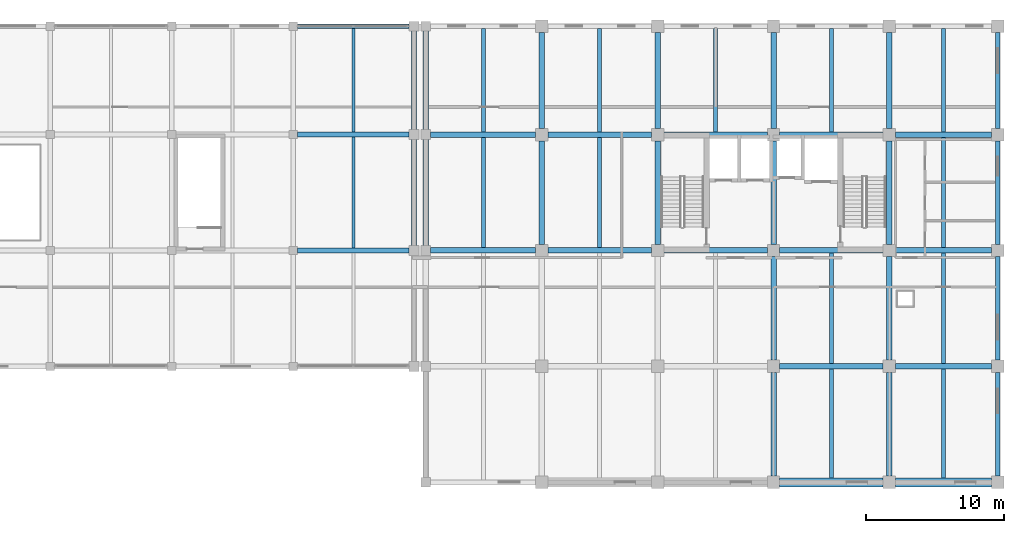
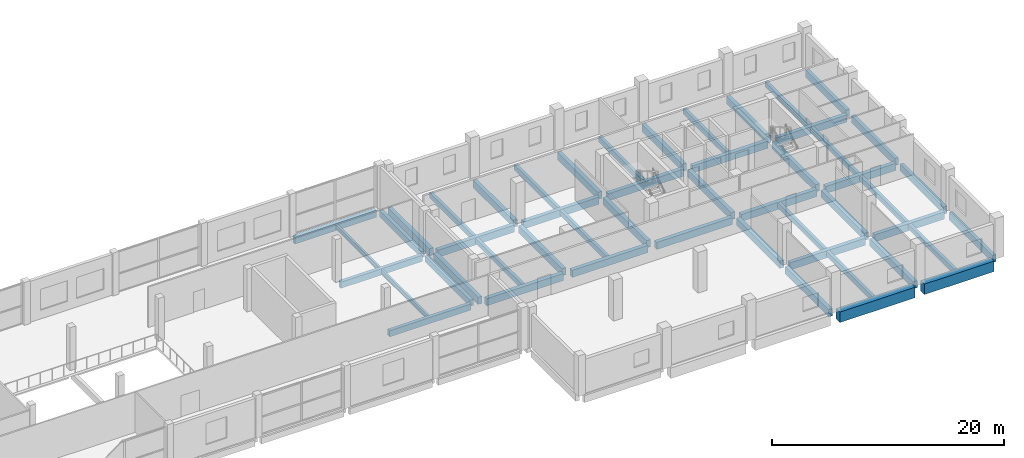
# One storey, part 10 of 18: 51 beams.
"""IFC4 building model written with IfcOpenShell, lengths in metres."""

from ifc_helpers import new_model, si_unit, direction, frame, origin, origin_2d, place, context, subcontext, project, spatial, rectangle, i_section, extrude, material, material_profile, profile_set, type_object, element, save


model = new_model("IFC4")

# Units and contexts
model_context = context("Model", 3, precision=1e-05, world=origin(), true_north=direction((0.0, 1.0)))
body_context = subcontext(model_context, "Body", "Model", "MODEL_VIEW")
ifc_project = project(units=[si_unit("LENGTHUNIT", "METRE"), si_unit("AREAUNIT", "SQUARE_METRE"), si_unit("VOLUMEUNIT", "CUBIC_METRE"), si_unit("PLANEANGLEUNIT", "RADIAN"), si_unit("MASSUNIT", "GRAM", prefix="KILO")], contexts=[model_context])

# Site, building, storey
site_placement = place(None, origin())
site = spatial("IfcSite", under=ifc_project, at=site_placement, CompositionType="ELEMENT")
building_placement = place(site_placement, origin())
building = spatial("IfcBuilding", under=site, at=building_placement, Name="Brinegate Botanical Conservatory", CompositionType="ELEMENT")
storey_placement = place(building_placement, frame((0.0, 0.0, 14.699951171875)))
storey = spatial("IfcBuildingStorey", under=building, at=storey_placement, Name="L04", CompositionType="ELEMENT", Elevation=14.699951171875)

# Beams
ifc_material_1 = material(Name="Concrete C50/60", Category="concrete")
ifc_material_profile_1 = material_profile(ifc_material_1, rectangle(XDim=0.39990234375, YDim=0.75, at=origin_2d()), Name="RC BM 400x750")
ifc_profile_set_1 = profile_set([ifc_material_profile_1], Name="Concrete C50/60")
beam_type_1 = type_object("IfcBeamType", Name="Beam_BM-T1", PredefinedType="BEAM", material=ifc_profile_set_1)
beam_1_placement = place(storey_placement, frame((147.64990234375, 86.800048828125, -0.614990234375), z_axis=(1.0, 0.0, 0.0), x_axis=(0.0, 1.0, 0.0)))
element("IfcBeam", 1, at=beam_1_placement, inside=storey, type_object=beam_type_1, Name="Beam BM-T1 L04 L:19-20", PredefinedType="BEAM", context=body_context, shape_type="SweptSolid", body=[
    extrude(rectangle(XDim=0.39990234375, YDim=0.75, at=origin_2d()), origin(), (0.0, 0.0, 1.0), 7.5),
])
beam_2_placement = place(storey_placement, frame((156.050048828125, 86.800048828125, -0.614990234375), z_axis=(1.0, 0.0, 0.0), x_axis=(0.0, 1.0, 0.0)))
element("IfcBeam", 2, at=beam_2_placement, inside=storey, type_object=beam_type_1, Name="Beam BM-T1 L04 L:20-21", PredefinedType="BEAM", context=body_context, shape_type="SweptSolid", body=[
    extrude(rectangle(XDim=0.39990234375, YDim=0.75, at=origin_2d()), origin(), (0.0, 0.0, 1.0), 6.949951171875),
])
beam_3_placement = place(storey_placement, frame((122.35009765625, 95.199951171875, -0.614990234375), z_axis=(1.0, 0.0, 0.0), x_axis=(0.0, 1.0, 0.0)))
element("IfcBeam", 3, at=beam_3_placement, inside=storey, type_object=beam_type_1, Name="Beam BM-T1 L04 M:16-17", PredefinedType="BEAM", context=body_context, shape_type="SweptSolid", body=[
    extrude(rectangle(XDim=0.39990234375, YDim=0.75, at=origin_2d()), origin(), (0.0, 0.0, 1.0), 7.599853515625),
])
for number, where, z_axis, x_axis, name in (
    (4, (130.85009765625, 95.199951171875, -0.614990234375), (1.0, 0.0, 0.0), (0.0, 1.0, 0.0), "Beam BM-T1 L04 M:17-18"),
    (5, (139.25, 95.199951171875, -0.614990234375), (1.0, 0.0, 0.0), (0.0, 1.0, 0.0), "Beam BM-T1 L04 M:18-19"),
    (6, (147.64990234375, 95.199951171875, -0.614990234375), (1.0, 0.0, 0.0), (0.0, 1.0, 0.0), "Beam BM-T1 L04 M:19-20"),
):
    element("IfcBeam", number, at=place(storey_placement, frame(where, z_axis=z_axis, x_axis=x_axis)), inside=storey, type_object=beam_type_1, Name=name, PredefinedType="BEAM", context=body_context, shape_type="SweptSolid", body=[
        extrude(rectangle(XDim=0.39990234375, YDim=0.75, at=origin_2d()), origin(), (0.0, 0.0, 1.0), 7.5),
    ])
beam_4_placement = place(storey_placement, frame((156.050048828125, 95.199951171875, -0.614990234375), z_axis=(1.0, 0.0, 0.0), x_axis=(0.0, 1.0, 0.0)))
element("IfcBeam", 7, at=beam_4_placement, inside=storey, type_object=beam_type_1, Name="Beam BM-T1 L04 M:20-21", PredefinedType="BEAM", context=body_context, shape_type="SweptSolid", body=[
    extrude(rectangle(XDim=0.39990234375, YDim=0.75, at=origin_2d()), origin(), (0.0, 0.0, 1.0), 6.949951171875),
])
beam_5_placement = place(storey_placement, frame((122.35009765625, 103.60009765625, -0.614990234375), z_axis=(1.0, 0.0, 0.0), x_axis=(0.0, 1.0, 0.0)))
element("IfcBeam", 8, at=beam_5_placement, inside=storey, type_object=beam_type_1, Name="Beam BM-T1 L04 N:16-17", PredefinedType="BEAM", context=body_context, shape_type="SweptSolid", body=[
    extrude(rectangle(XDim=0.39990234375, YDim=0.75, at=origin_2d()), origin(), (0.0, 0.0, 1.0), 7.599853515625),
])
for number, where, z_axis, x_axis, name in (
    (9, (130.85009765625, 103.60009765625, -0.614990234375), (1.0, 0.0, 0.0), (0.0, 1.0, 0.0), "Beam BM-T1 L04 N:17-18"),
    (10, (139.25, 103.60009765625, -0.614990234375), (1.0, 0.0, 0.0), (0.0, 1.0, 0.0), "Beam BM-T1 L04 N:18-19"),
    (11, (147.64990234375, 103.60009765625, -0.614990234375), (1.0, 0.0, 0.0), (0.0, 1.0, 0.0), "Beam BM-T1 L04 N:19-20"),
):
    element("IfcBeam", number, at=place(storey_placement, frame(where, z_axis=z_axis, x_axis=x_axis)), inside=storey, type_object=beam_type_1, Name=name, PredefinedType="BEAM", context=body_context, shape_type="SweptSolid", body=[
        extrude(rectangle(XDim=0.39990234375, YDim=0.75, at=origin_2d()), origin(), (0.0, 0.0, 1.0), 7.5),
    ])
beam_6_placement = place(storey_placement, frame((156.050048828125, 103.60009765625, -0.614990234375), z_axis=(1.0, 0.0, 0.0), x_axis=(0.0, 1.0, 0.0)))
element("IfcBeam", 12, at=beam_6_placement, inside=storey, type_object=beam_type_1, Name="Beam BM-T1 L04 N:20-21", PredefinedType="BEAM", context=body_context, shape_type="SweptSolid", body=[
    extrude(rectangle(XDim=0.39990234375, YDim=0.75, at=origin_2d()), origin(), (0.0, 0.0, 1.0), 6.949951171875),
])
beam_7_placement = place(storey_placement, frame((122.0, 95.550048828125, -0.614990234375), z_axis=(0.0, 1.0, 0.0), x_axis=(-1.0, 0.0, 0.0)))
element("IfcBeam", 13, at=beam_7_placement, inside=storey, type_object=beam_type_1, Name="Beam BM-T1 L04 16:M-N", PredefinedType="BEAM", context=body_context, shape_type="SweptSolid", body=[
    extrude(rectangle(XDim=0.39990234375, YDim=0.75, at=origin_2d()), origin(), (0.0, 0.0, 1.0), 7.699951171875),
])
beam_8_placement = place(storey_placement, frame((122.0, 103.949951171875, -0.614990234375), z_axis=(0.0, 1.0, 0.0), x_axis=(-1.0, 0.0, 0.0)))
element("IfcBeam", 14, at=beam_8_placement, inside=storey, type_object=beam_type_1, Name="Beam BM-T1 L04 16:N-P", PredefinedType="BEAM", context=body_context, shape_type="SweptSolid", body=[
    extrude(rectangle(XDim=0.39990234375, YDim=0.75, at=origin_2d()), origin(), (0.0, 0.0, 1.0), 7.150146484375),
])
beam_9_placement = place(storey_placement, frame((130.39990234375, 95.64990234375, -0.614990234375), z_axis=(0.0, 1.0, 0.0), x_axis=(-1.0, 0.0, 0.0)))
element("IfcBeam", 15, at=beam_9_placement, inside=storey, type_object=beam_type_1, Name="Beam BM-T1 L04 17:M-N", PredefinedType="BEAM", context=body_context, shape_type="SweptSolid", body=[
    extrude(rectangle(XDim=0.39990234375, YDim=0.75, at=origin_2d()), origin(), (0.0, 0.0, 1.0), 7.5),
])
beam_10_placement = place(storey_placement, frame((130.39990234375, 104.050048828125, -0.614990234375), z_axis=(0.0, 1.0, 0.0), x_axis=(-1.0, 0.0, 0.0)))
element("IfcBeam", 16, at=beam_10_placement, inside=storey, type_object=beam_type_1, Name="Beam BM-T1 L04 17:N-P", PredefinedType="BEAM", context=body_context, shape_type="SweptSolid", body=[
    extrude(rectangle(XDim=0.39990234375, YDim=0.75, at=origin_2d()), origin(), (0.0, 0.0, 1.0), 6.949951171875),
])
beam_11_placement = place(storey_placement, frame((138.800048828125, 95.64990234375, -0.614990234375), z_axis=(0.0, 1.0, 0.0), x_axis=(-1.0, 0.0, 0.0)))
element("IfcBeam", 17, at=beam_11_placement, inside=storey, type_object=beam_type_1, Name="Beam BM-T1 L04 18:M-N", PredefinedType="BEAM", context=body_context, shape_type="SweptSolid", body=[
    extrude(rectangle(XDim=0.39990234375, YDim=0.75, at=origin_2d()), origin(), (0.0, 0.0, 1.0), 7.5),
])
beam_12_placement = place(storey_placement, frame((138.800048828125, 104.050048828125, -0.614990234375), z_axis=(0.0, 1.0, 0.0), x_axis=(-1.0, 0.0, 0.0)))
element("IfcBeam", 18, at=beam_12_placement, inside=storey, type_object=beam_type_1, Name="Beam BM-T1 L04 18:N-P", PredefinedType="BEAM", context=body_context, shape_type="SweptSolid", body=[
    extrude(rectangle(XDim=0.39990234375, YDim=0.75, at=origin_2d()), origin(), (0.0, 0.0, 1.0), 6.949951171875),
])
for number, where, z_axis, x_axis, name in (
    (19, (147.199951171875, 78.85009765625, -0.614990234375), (0.0, 1.0, 0.0), (-1.0, 0.0, 0.0), "Beam BM-T1 L04 19:K-L"),
    (20, (147.199951171875, 87.25, -0.614990234375), (0.0, 1.0, 0.0), (-1.0, 0.0, 0.0), "Beam BM-T1 L04 19:L-M"),
    (21, (147.199951171875, 95.64990234375, -0.614990234375), (0.0, 1.0, 0.0), (-1.0, 0.0, 0.0), "Beam BM-T1 L04 19:M-N"),
):
    element("IfcBeam", number, at=place(storey_placement, frame(where, z_axis=z_axis, x_axis=x_axis)), inside=storey, type_object=beam_type_1, Name=name, PredefinedType="BEAM", context=body_context, shape_type="SweptSolid", body=[
        extrude(rectangle(XDim=0.39990234375, YDim=0.75, at=origin_2d()), origin(), (0.0, 0.0, 1.0), 7.5),
    ])
beam_13_placement = place(storey_placement, frame((147.199951171875, 104.050048828125, -0.614990234375), z_axis=(0.0, 1.0, 0.0), x_axis=(-1.0, 0.0, 0.0)))
element("IfcBeam", 22, at=beam_13_placement, inside=storey, type_object=beam_type_1, Name="Beam BM-T1 L04 19:N-P", PredefinedType="BEAM", context=body_context, shape_type="SweptSolid", body=[
    extrude(rectangle(XDim=0.39990234375, YDim=0.75, at=origin_2d()), origin(), (0.0, 0.0, 1.0), 6.949951171875),
])
for number, where, z_axis, x_axis, name in (
    (23, (155.60009765625, 78.85009765625, -0.614990234375), (0.0, 1.0, 0.0), (-1.0, 0.0, 0.0), "Beam BM-T1 L04 20:K-L"),
    (24, (155.60009765625, 87.25, -0.614990234375), (0.0, 1.0, 0.0), (-1.0, 0.0, 0.0), "Beam BM-T1 L04 20:L-M"),
    (25, (155.60009765625, 95.64990234375, -0.614990234375), (0.0, 1.0, 0.0), (-1.0, 0.0, 0.0), "Beam BM-T1 L04 20:M-N"),
):
    element("IfcBeam", number, at=place(storey_placement, frame(where, z_axis=z_axis, x_axis=x_axis)), inside=storey, type_object=beam_type_1, Name=name, PredefinedType="BEAM", context=body_context, shape_type="SweptSolid", body=[
        extrude(rectangle(XDim=0.39990234375, YDim=0.75, at=origin_2d()), origin(), (0.0, 0.0, 1.0), 7.5),
    ])
beam_14_placement = place(storey_placement, frame((155.60009765625, 104.050048828125, -0.614990234375), z_axis=(0.0, 1.0, 0.0), x_axis=(-1.0, 0.0, 0.0)))
element("IfcBeam", 26, at=beam_14_placement, inside=storey, type_object=beam_type_1, Name="Beam BM-T1 L04 20:N-P", PredefinedType="BEAM", context=body_context, shape_type="SweptSolid", body=[
    extrude(rectangle(XDim=0.39990234375, YDim=0.75, at=origin_2d()), origin(), (0.0, 0.0, 1.0), 6.949951171875),
])
ifc_material_2 = material(Name="Concrete C40/50", Category="concrete")
ifc_material_profile_2 = material_profile(ifc_material_2, rectangle(XDim=0.35009765625, YDim=0.64990234375, at=origin_2d()), Name="RC BM 350x650")
ifc_profile_set_2 = profile_set([ifc_material_profile_2], Name="Concrete C40/50")
beam_type_2 = type_object("IfcBeamType", Name="Beam_BM-V3", PredefinedType="BEAM", material=ifc_profile_set_2)
for number, where, z_axis, x_axis, name in (
    (27, (112.699951171875, 95.199951171875, -0.56494140625), (1.0, 0.0, 0.0), (0.0, 1.0, 0.0), "Beam BM-V3 L04 M:14-15"),
    (28, (112.699951171875, 103.60009765625, -0.56494140625), (1.0, 0.0, 0.0), (0.0, 1.0, 0.0), "Beam BM-V3 L04 N:14-15"),
):
    element("IfcBeam", number, at=place(storey_placement, frame(where, z_axis=z_axis, x_axis=x_axis)), inside=storey, type_object=beam_type_2, Name=name, PredefinedType="BEAM", context=body_context, shape_type="SweptSolid", body=[
        extrude(rectangle(XDim=0.35009765625, YDim=0.64990234375, at=origin_2d()), origin(), (0.0, 0.0, 1.0), 8.10009765625),
    ])
beam_15_placement = place(storey_placement, frame((121.14990234375, 95.550048828125, -0.56494140625), z_axis=(0.0, 1.0, 0.0), x_axis=(-1.0, 0.0, 0.0)))
element("IfcBeam", 29, at=beam_15_placement, inside=storey, type_object=beam_type_2, Name="Beam BM-V3 L04 15:M-N", PredefinedType="BEAM", context=body_context, shape_type="SweptSolid", body=[
    extrude(rectangle(XDim=0.35009765625, YDim=0.64990234375, at=origin_2d()), origin(), (0.0, 0.0, 1.0), 7.699951171875),
])
beam_16_placement = place(storey_placement, frame((121.14990234375, 103.949951171875, -0.56494140625), z_axis=(0.0, 1.0, 0.0), x_axis=(-1.0, 0.0, 0.0)))
element("IfcBeam", 30, at=beam_16_placement, inside=storey, type_object=beam_type_2, Name="Beam BM-V3 L04 15:N-P", PredefinedType="BEAM", context=body_context, shape_type="SweptSolid", body=[
    extrude(rectangle(XDim=0.35009765625, YDim=0.64990234375, at=origin_2d()), origin(), (0.0, 0.0, 1.0), 7.150146484375),
])
ifc_material_profile_3 = material_profile(ifc_material_2, rectangle(XDim=0.300048828125, YDim=0.550048828125, at=origin_2d()), Name="RC JST 300x550")
ifc_profile_set_3 = profile_set([ifc_material_profile_3], Name="Concrete C40/50")
beam_type_3 = type_object("IfcBeamType", Name="Beam_JS-C1", PredefinedType="JOIST", material=ifc_profile_set_3)
beam_17_placement = place(storey_placement, frame((126.199951171875, 95.39990234375, -0.514892578125), z_axis=(0.0, 1.0, 0.0), x_axis=(-1.0, 0.0, 0.0)))
element("IfcBeam", 31, at=beam_17_placement, inside=storey, type_object=beam_type_3, Name="Floor joist JS-C1 L04 bay 16.12", PredefinedType="JOIST", context=body_context, shape_type="SweptSolid", body=[
    extrude(rectangle(XDim=0.300048828125, YDim=0.550048828125, at=origin_2d()), origin(), (0.0, 0.0, 1.0), 8.0),
])
beam_18_placement = place(storey_placement, frame((126.199951171875, 103.800048828125, -0.514892578125), z_axis=(0.0, 1.0, 0.0), x_axis=(-1.0, 0.0, 0.0)))
element("IfcBeam", 32, at=beam_18_placement, inside=storey, type_object=beam_type_3, Name="Floor joist JS-C1 L04 bay 16.13", PredefinedType="JOIST", context=body_context, shape_type="SweptSolid", body=[
    extrude(rectangle(XDim=0.300048828125, YDim=0.550048828125, at=origin_2d()), origin(), (0.0, 0.0, 1.0), 7.474853515625),
])
beam_19_placement = place(storey_placement, frame((134.60009765625, 95.39990234375, -0.514892578125), z_axis=(0.0, 1.0, 0.0), x_axis=(-1.0, 0.0, 0.0)))
element("IfcBeam", 33, at=beam_19_placement, inside=storey, type_object=beam_type_3, Name="Floor joist JS-C1 L04 bay 17.12", PredefinedType="JOIST", context=body_context, shape_type="SweptSolid", body=[
    extrude(rectangle(XDim=0.300048828125, YDim=0.550048828125, at=origin_2d()), origin(), (0.0, 0.0, 1.0), 8.0),
])
for number, where, z_axis, x_axis, name in (
    (34, (134.60009765625, 103.800048828125, -0.514892578125), (0.0, 1.0, 0.0), (-1.0, 0.0, 0.0), "Floor joist JS-C1 L04 bay 17.13"),
    (35, (143.0, 103.800048828125, -0.514892578125), (0.0, 1.0, 0.0), (-1.0, 0.0, 0.0), "Floor joist JS-C1 L04 bay 18.13"),
):
    element("IfcBeam", number, at=place(storey_placement, frame(where, z_axis=z_axis, x_axis=x_axis)), inside=storey, type_object=beam_type_3, Name=name, PredefinedType="JOIST", context=body_context, shape_type="SweptSolid", body=[
        extrude(rectangle(XDim=0.300048828125, YDim=0.550048828125, at=origin_2d()), origin(), (0.0, 0.0, 1.0), 7.474853515625),
    ])
beam_20_placement = place(storey_placement, frame((151.39990234375, 78.72509765625, -0.514892578125), z_axis=(0.0, 1.0, 0.0), x_axis=(-1.0, 0.0, 0.0)))
element("IfcBeam", 36, at=beam_20_placement, inside=storey, type_object=beam_type_3, Name="Floor joist JS-C1 L04 bay 19.10", PredefinedType="JOIST", context=body_context, shape_type="SweptSolid", body=[
    extrude(rectangle(XDim=0.300048828125, YDim=0.550048828125, at=origin_2d()), origin(), (0.0, 0.0, 1.0), 7.875),
])
beam_21_placement = place(storey_placement, frame((151.39990234375, 87.0, -0.514892578125), z_axis=(0.0, 1.0, 0.0), x_axis=(-1.0, 0.0, 0.0)))
element("IfcBeam", 37, at=beam_21_placement, inside=storey, type_object=beam_type_3, Name="Floor joist JS-C1 L04 bay 19.11", PredefinedType="JOIST", context=body_context, shape_type="SweptSolid", body=[
    extrude(rectangle(XDim=0.300048828125, YDim=0.550048828125, at=origin_2d()), origin(), (0.0, 0.0, 1.0), 8.0),
])
beam_22_placement = place(storey_placement, frame((151.39990234375, 103.800048828125, -0.514892578125), z_axis=(0.0, 1.0, 0.0), x_axis=(-1.0, 0.0, 0.0)))
element("IfcBeam", 38, at=beam_22_placement, inside=storey, type_object=beam_type_3, Name="Floor joist JS-C1 L04 bay 19.13", PredefinedType="JOIST", context=body_context, shape_type="SweptSolid", body=[
    extrude(rectangle(XDim=0.300048828125, YDim=0.550048828125, at=origin_2d()), origin(), (0.0, 0.0, 1.0), 7.474853515625),
])
beam_23_placement = place(storey_placement, frame((159.52490234375, 78.72509765625, -0.514892578125), z_axis=(0.0, 1.0, 0.0), x_axis=(-1.0, 0.0, 0.0)))
element("IfcBeam", 39, at=beam_23_placement, inside=storey, type_object=beam_type_3, Name="Floor joist JS-C1 L04 bay 20.10", PredefinedType="JOIST", context=body_context, shape_type="SweptSolid", body=[
    extrude(rectangle(XDim=0.300048828125, YDim=0.550048828125, at=origin_2d()), origin(), (0.0, 0.0, 1.0), 7.875),
])
for number, where, z_axis, x_axis, name in (
    (40, (159.52490234375, 87.0, -0.514892578125), (0.0, 1.0, 0.0), (-1.0, 0.0, 0.0), "Floor joist JS-C1 L04 bay 20.11"),
    (41, (159.52490234375, 95.39990234375, -0.514892578125), (0.0, 1.0, 0.0), (-1.0, 0.0, 0.0), "Floor joist JS-C1 L04 bay 20.12"),
):
    element("IfcBeam", number, at=place(storey_placement, frame(where, z_axis=z_axis, x_axis=x_axis)), inside=storey, type_object=beam_type_3, Name=name, PredefinedType="JOIST", context=body_context, shape_type="SweptSolid", body=[
        extrude(rectangle(XDim=0.300048828125, YDim=0.550048828125, at=origin_2d()), origin(), (0.0, 0.0, 1.0), 8.0),
    ])
beam_24_placement = place(storey_placement, frame((159.52490234375, 103.800048828125, -0.514892578125), z_axis=(0.0, 1.0, 0.0), x_axis=(-1.0, 0.0, 0.0)))
element("IfcBeam", 42, at=beam_24_placement, inside=storey, type_object=beam_type_3, Name="Floor joist JS-C1 L04 bay 20.13", PredefinedType="JOIST", context=body_context, shape_type="SweptSolid", body=[
    extrude(rectangle(XDim=0.300048828125, YDim=0.550048828125, at=origin_2d()), origin(), (0.0, 0.0, 1.0), 7.474853515625),
])
ifc_material_3 = material(Name="Structural steel Q355B / S355", Category="steel")
ifc_material_profile_4 = material_profile(ifc_material_3, i_section(OverallWidth=0.199951171875, OverallDepth=0.5, WebThickness=0.010009765625, FlangeThickness=0.01611328125, at=origin_2d()), Name="HN 500x200x10x16")
ifc_profile_set_4 = profile_set([ifc_material_profile_4], Name="Structural steel Q355B / S355")
beam_type_4 = type_object("IfcBeamType", Name="Beam_JS-S4", PredefinedType="JOIST", material=ifc_profile_set_4)
beam_25_placement = place(storey_placement, frame((116.77490234375, 95.375, -0.489990234375), z_axis=(0.0, 1.0, 0.0), x_axis=(-1.0, 0.0, 0.0)))
element("IfcBeam", 43, at=beam_25_placement, inside=storey, type_object=beam_type_4, Name="Floor joist JS-S4 L04 bay 14.12", PredefinedType="JOIST", context=body_context, shape_type="SweptSolid", body=[
    extrude(i_section(OverallWidth=0.199951171875, OverallDepth=0.5, WebThickness=0.010009765625, FlangeThickness=0.01611328125, at=origin_2d()), origin(), (0.0, 0.0, 1.0), 8.050048828125),
])
beam_26_placement = place(storey_placement, frame((116.77490234375, 103.77490234375, -0.489990234375), z_axis=(0.0, 1.0, 0.0), x_axis=(-1.0, 0.0, 0.0)))
element("IfcBeam", 44, at=beam_26_placement, inside=storey, type_object=beam_type_4, Name="Floor joist JS-S4 L04 bay 14.13", PredefinedType="JOIST", context=body_context, shape_type="SweptSolid", body=[
    extrude(i_section(OverallWidth=0.199951171875, OverallDepth=0.5, WebThickness=0.010009765625, FlangeThickness=0.01611328125, at=origin_2d()), origin(), (0.0, 0.0, 1.0), 7.5),
])
ifc_material_profile_5 = material_profile(ifc_material_2, rectangle(XDim=0.35009765625, YDim=0.75, at=origin_2d()), Name="RC SPN 350x750")
ifc_profile_set_5 = profile_set([ifc_material_profile_5], Name="Concrete C40/50")
beam_type_5 = type_object("IfcBeamType", Name="Beam_SP-01", PredefinedType="SPANDREL", material=ifc_profile_set_5)
beam_27_placement = place(storey_placement, frame((112.699951171875, 111.449951171875, -0.614990234375), z_axis=(1.0, 0.0, 0.0), x_axis=(0.0, 1.0, 0.0)))
element("IfcBeam", 45, at=beam_27_placement, inside=storey, type_object=beam_type_5, Name="Beam SP-01 L04 P:14-15", PredefinedType="SPANDREL", context=body_context, shape_type="SweptSolid", body=[
    extrude(rectangle(XDim=0.35009765625, YDim=0.75, at=origin_2d()), origin(), (0.0, 0.0, 1.0), 8.10009765625),
])
for number, where, z_axis, x_axis, name in (
    (46, (163.449951171875, 78.85009765625, -0.614990234375), (0.0, 1.0, 0.0), (-1.0, 0.0, 0.0), "Beam SP-01 L04 21:K-L"),
    (47, (163.449951171875, 87.25, -0.614990234375), (0.0, 1.0, 0.0), (-1.0, 0.0, 0.0), "Beam SP-01 L04 21:L-M"),
    (48, (163.449951171875, 95.64990234375, -0.614990234375), (0.0, 1.0, 0.0), (-1.0, 0.0, 0.0), "Beam SP-01 L04 21:M-N"),
):
    element("IfcBeam", number, at=place(storey_placement, frame(where, z_axis=z_axis, x_axis=x_axis)), inside=storey, type_object=beam_type_5, Name=name, PredefinedType="SPANDREL", context=body_context, shape_type="SweptSolid", body=[
        extrude(rectangle(XDim=0.35009765625, YDim=0.75, at=origin_2d()), origin(), (0.0, 0.0, 1.0), 7.5),
    ])
beam_28_placement = place(storey_placement, frame((163.449951171875, 104.050048828125, -0.614990234375), z_axis=(0.0, 1.0, 0.0), x_axis=(-1.0, 0.0, 0.0)))
element("IfcBeam", 49, at=beam_28_placement, inside=storey, type_object=beam_type_5, Name="Beam SP-01 L04 21:N-P", PredefinedType="SPANDREL", context=body_context, shape_type="SweptSolid", body=[
    extrude(rectangle(XDim=0.35009765625, YDim=0.75, at=origin_2d()), origin(), (0.0, 0.0, 1.0), 6.949951171875),
])
ifc_material_profile_6 = material_profile(ifc_material_1, rectangle(XDim=0.64990234375, YDim=1.10009765625, at=origin_2d()), Name="RC TG 650x1100")
ifc_profile_set_6 = profile_set([ifc_material_profile_6], Name="Concrete C50/60")
beam_type_6 = type_object("IfcBeamType", Name="Beam_TG-02", PredefinedType="BEAM", material=ifc_profile_set_6)
beam_29_placement = place(storey_placement, frame((147.64990234375, 78.39990234375, -0.7900390625), z_axis=(1.0, 0.0, 0.0), x_axis=(0.0, 1.0, 0.0)))
element("IfcBeam", 50, at=beam_29_placement, inside=storey, type_object=beam_type_6, Name="Transfer girder TG-02 L04 K:19-20", PredefinedType="BEAM", context=body_context, shape_type="SweptSolid", body=[
    extrude(rectangle(XDim=0.64990234375, YDim=1.10009765625, at=origin_2d()), origin(), (0.0, 0.0, 1.0), 7.5),
])
beam_30_placement = place(storey_placement, frame((156.050048828125, 78.39990234375, -0.7900390625), z_axis=(1.0, 0.0, 0.0), x_axis=(0.0, 1.0, 0.0)))
element("IfcBeam", 51, at=beam_30_placement, inside=storey, type_object=beam_type_6, Name="Transfer girder TG-02 L04 K:20-21", PredefinedType="BEAM", context=body_context, shape_type="SweptSolid", body=[
    extrude(rectangle(XDim=0.64990234375, YDim=1.10009765625, at=origin_2d()), origin(), (0.0, 0.0, 1.0), 6.949951171875),
])

save(model, "model.ifc")
